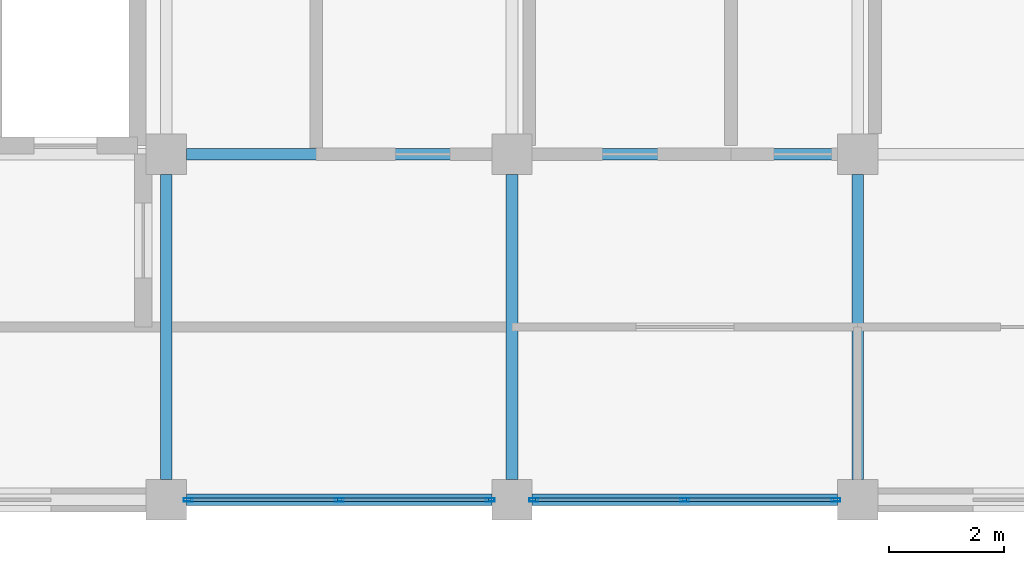
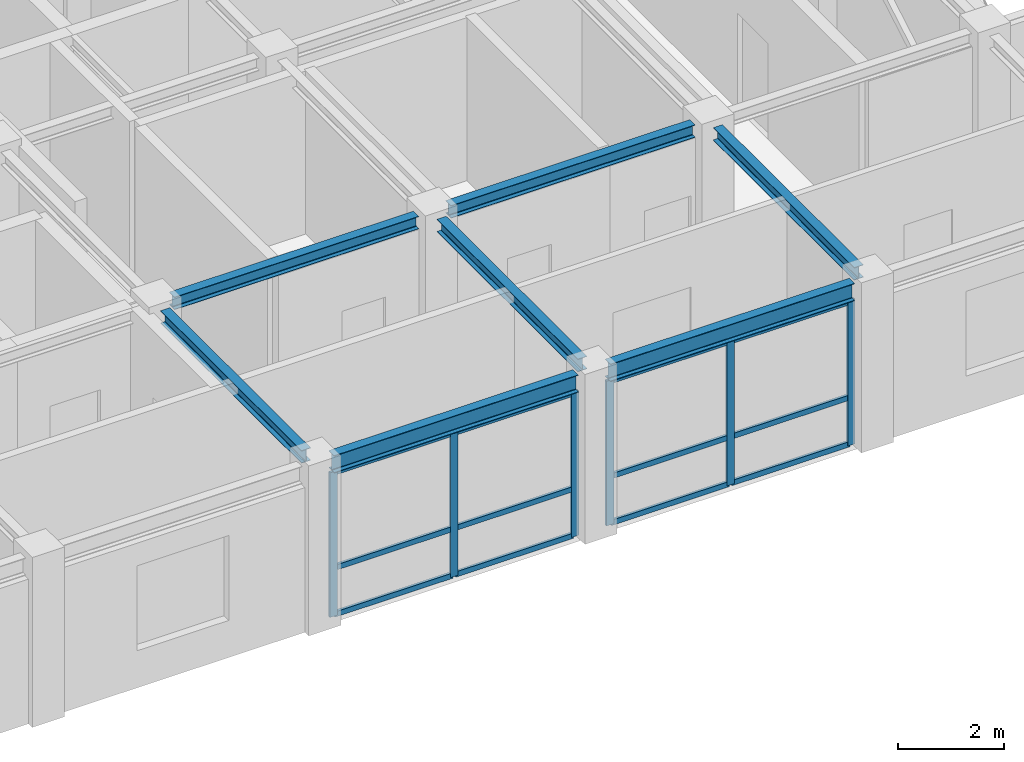
# One storey, part 4 of 11: 18 members, 7 beams, 2 elements without a shape of their own.
"""IFC4 building model written with IfcOpenShell, lengths in metres."""

from ifc_helpers import new_model, si_unit, direction, frame, origin, origin_2d, place, context, subcontext, project, spatial, hollow_rectangle, i_section, extrude, material, layer, layer_set, material_profile, profile_set, type_object, element, aggregate, save


model = new_model("IFC4")

# Units and contexts
model_context = context("Model", 3, precision=1e-05, world=origin(), true_north=direction((0.0, 1.0)))
body_context = subcontext(model_context, "Body", "Model", "MODEL_VIEW")
ifc_project = project(units=[si_unit("LENGTHUNIT", "METRE"), si_unit("AREAUNIT", "SQUARE_METRE"), si_unit("VOLUMEUNIT", "CUBIC_METRE"), si_unit("PLANEANGLEUNIT", "RADIAN"), si_unit("MASSUNIT", "GRAM", prefix="KILO")], contexts=[model_context])

# Site, building, storey
site_placement = place(None, origin())
site = spatial("IfcSite", under=ifc_project, at=site_placement, CompositionType="ELEMENT")
building_placement = place(site_placement, origin())
building = spatial("IfcBuilding", under=site, at=building_placement, Name="Zlatovratsky Civic Hall", CompositionType="ELEMENT")
storey_placement = place(building_placement, frame((0.0, 0.0, 60.0)))
storey = spatial("IfcBuildingStorey", under=building, at=storey_placement, Name="L15", CompositionType="ELEMENT", Elevation=60.0)

# Beams
ifc_material_1 = material(Name="Steel S355", Category="steel")
ifc_material_profile_1 = material_profile(ifc_material_1, i_section(OverallWidth=0.199951171875, OverallDepth=0.39990234375, WebThickness=0.008056640625, FlangeThickness=0.012939453125, FilletRadius=0.014892578125, at=origin_2d()), Name="40B2")
ifc_profile_set_1 = profile_set([ifc_material_profile_1], Name="Steel S355")
beam_type_1 = type_object("IfcBeamType", Name="Beam_Spandrel_40B2", PredefinedType="SPANDREL", material=ifc_profile_set_1)
for number, where, z_axis, x_axis, name in (
    (1, (78.35009765625, 78.0, 3.5400390625), (1.0, 0.0, 0.0), (0.0, 1.0, 0.0), "BM-5044"),
    (2, (84.35009765625, 78.0, 3.5400390625), (1.0, 0.0, 0.0), (0.0, 1.0, 0.0), "BM-5045"),
):
    element("IfcBeam", number, at=place(storey_placement, frame(where, z_axis=z_axis, x_axis=x_axis)), inside=storey, type_object=beam_type_1, Name=name, PredefinedType="SPANDREL", context=body_context, shape_type="SweptSolid", body=[
        extrude(i_section(OverallWidth=0.199951171875, OverallDepth=0.39990234375, WebThickness=0.008056640625, FlangeThickness=0.012939453125, FilletRadius=0.014892578125, at=origin_2d()), origin(), (0.0, 0.0, 1.0), 5.2998046875),
    ])
ifc_material_profile_2 = material_profile(ifc_material_1, i_section(OverallWidth=0.199951171875, OverallDepth=0.291015625, WebThickness=0.008056640625, FlangeThickness=0.010986328125, FilletRadius=0.01806640625, at=origin_2d()), Name="30Sh1")
ifc_profile_set_2 = profile_set([ifc_material_profile_2], Name="Steel S355")
beam_type_2 = type_object("IfcBeamType", Name="Beam_TowerHigh_30Sh1", PredefinedType="BEAM", material=ifc_profile_set_2)
for number, where, z_axis, x_axis, name in (
    (3, (78.35009765625, 84.0, 3.594482421875), (1.0, 0.0, 0.0), (0.0, 1.0, 0.0), "BM-5052"),
    (4, (84.35009765625, 84.0, 3.594482421875), (1.0, 0.0, 0.0), (0.0, 1.0, 0.0), "BM-5053"),
    (5, (78.0, 78.35009765625, 3.594482421875), (0.0, 1.0, 0.0), (-1.0, 0.0, 0.0), "BM-5091"),
    (6, (84.0, 78.35009765625, 3.594482421875), (0.0, 1.0, 0.0), (-1.0, 0.0, 0.0), "BM-5095"),
    (7, (90.0, 78.35009765625, 3.594482421875), (0.0, 1.0, 0.0), (-1.0, 0.0, 0.0), "BM-5099"),
):
    element("IfcBeam", number, at=place(storey_placement, frame(where, z_axis=z_axis, x_axis=x_axis)), inside=storey, type_object=beam_type_2, Name=name, PredefinedType="BEAM", context=body_context, shape_type="SweptSolid", body=[
        extrude(i_section(OverallWidth=0.199951171875, OverallDepth=0.291015625, WebThickness=0.008056640625, FlangeThickness=0.010986328125, FilletRadius=0.01806640625, at=origin_2d()), origin(), (0.0, 0.0, 1.0), 5.2998046875),
    ])

# Curtain wall, members
ifc_material_2 = material(Name="Anodised bronze aluminium", Category="aluminium")
ifc_layer = layer(ifc_material_2, 0.159912109375)
ifc_layer_set = layer_set([ifc_layer], Name="Anodised bronze aluminium")
curtain_wall_type = type_object("IfcCurtainWallType", Name="CurtainWall_Bronze_5300x3320_21", PredefinedType="NOTDEFINED", material=ifc_layer_set)
curtain_wall_1_placement = place(storey_placement, origin())
curtain_wall_1 = element("IfcCurtainWall", 8, at=curtain_wall_1_placement, inside=storey, type_object=curtain_wall_type, Name="CW-169", PredefinedType="NOTDEFINED")
ifc_material_profile_3 = material_profile(ifc_material_2, hollow_rectangle(XDim=0.06005859375, YDim=0.159912109375, WallThickness=0.00390625, at=origin_2d()), Name="ALU 60x160x4")
ifc_profile_set_3 = profile_set([ifc_material_profile_3], Name="Anodised bronze aluminium")
member_type_1 = type_object("IfcMemberType", Name="CW_Mullion_60x160", PredefinedType="MULLION", material=ifc_profile_set_3)
member_1_placement = place(storey_placement, frame((78.3798828125, 78.0, 0.0), z_axis=(0.0, 0.0, 1.0), x_axis=(0.0, 1.0, 0.0)))
member_1 = element("IfcMember", 9, at=member_1_placement, type_object=member_type_1, Name="CW-21 mullion 1", PredefinedType="MULLION", context=body_context, shape_type="SweptSolid", body=[
    extrude(hollow_rectangle(XDim=0.06005859375, YDim=0.159912109375, WallThickness=0.00390625, at=origin_2d()), origin(), (0.0, 0.0, 1.0), 3.320068359375),
])
member_2_placement = place(storey_placement, frame((81.0, 78.0, 0.0), z_axis=(0.0, 0.0, 1.0), x_axis=(0.0, 1.0, 0.0)))
member_2 = element("IfcMember", 10, at=member_2_placement, type_object=member_type_1, Name="CW-21 mullion 2", PredefinedType="MULLION", context=body_context, shape_type="SweptSolid", body=[
    extrude(hollow_rectangle(XDim=0.06005859375, YDim=0.159912109375, WallThickness=0.00390625, at=origin_2d()), origin(), (0.0, 0.0, 1.0), 3.320068359375),
])
member_3_placement = place(storey_placement, frame((83.6201171875, 78.0, 0.0), z_axis=(0.0, 0.0, 1.0), x_axis=(0.0, 1.0, 0.0)))
member_3 = element("IfcMember", 11, at=member_3_placement, type_object=member_type_1, Name="CW-21 mullion 3", PredefinedType="MULLION", context=body_context, shape_type="SweptSolid", body=[
    extrude(hollow_rectangle(XDim=0.06005859375, YDim=0.159912109375, WallThickness=0.00390625, at=origin_2d()), origin(), (0.0, 0.0, 1.0), 3.320068359375),
])

curtain_wall_2_placement = place(storey_placement, origin())
curtain_wall_2 = element("IfcCurtainWall", 12, at=curtain_wall_2_placement, inside=storey, type_object=curtain_wall_type, Name="CW-170", PredefinedType="NOTDEFINED")
member_4_placement = place(storey_placement, frame((84.3798828125, 78.0, 0.0), z_axis=(0.0, 0.0, 1.0), x_axis=(0.0, 1.0, 0.0)))
member_4 = element("IfcMember", 13, at=member_4_placement, type_object=member_type_1, Name="CW-21 mullion 1", PredefinedType="MULLION", context=body_context, shape_type="SweptSolid", body=[
    extrude(hollow_rectangle(XDim=0.06005859375, YDim=0.159912109375, WallThickness=0.00390625, at=origin_2d()), origin(), (0.0, 0.0, 1.0), 3.320068359375),
])
member_5_placement = place(storey_placement, frame((87.0, 78.0, 0.0), z_axis=(0.0, 0.0, 1.0), x_axis=(0.0, 1.0, 0.0)))
member_5 = element("IfcMember", 14, at=member_5_placement, type_object=member_type_1, Name="CW-21 mullion 2", PredefinedType="MULLION", context=body_context, shape_type="SweptSolid", body=[
    extrude(hollow_rectangle(XDim=0.06005859375, YDim=0.159912109375, WallThickness=0.00390625, at=origin_2d()), origin(), (0.0, 0.0, 1.0), 3.320068359375),
])
member_6_placement = place(storey_placement, frame((89.6201171875, 78.0, 0.0), z_axis=(0.0, 0.0, 1.0), x_axis=(0.0, 1.0, 0.0)))
member_6 = element("IfcMember", 15, at=member_6_placement, type_object=member_type_1, Name="CW-21 mullion 3", PredefinedType="MULLION", context=body_context, shape_type="SweptSolid", body=[
    extrude(hollow_rectangle(XDim=0.06005859375, YDim=0.159912109375, WallThickness=0.00390625, at=origin_2d()), origin(), (0.0, 0.0, 1.0), 3.320068359375),
])

# Member
ifc_material_profile_4 = material_profile(ifc_material_2, hollow_rectangle(XDim=0.06005859375, YDim=0.1201171875, WallThickness=0.00390625, at=origin_2d()), Name="ALU 60x120x4")
ifc_profile_set_4 = profile_set([ifc_material_profile_4], Name="Anodised bronze aluminium")
member_type_2 = type_object("IfcMemberType", Name="CW_Transom_60x120", PredefinedType="USERDEFINED", material=ifc_profile_set_4)
member_7_placement = place(storey_placement, frame((78.409912109375, 78.0, 0.030029296875), z_axis=(1.0, 0.0, 0.0), x_axis=(0.0, 1.0, 0.0)))
member_7 = element("IfcMember", 16, at=member_7_placement, type_object=member_type_2, Name="CW-21 transom 1.1", ObjectType="TRANSOM", PredefinedType="USERDEFINED", context=body_context, shape_type="SweptSolid", body=[
    extrude(hollow_rectangle(XDim=0.06005859375, YDim=0.1201171875, WallThickness=0.00390625, at=origin_2d()), origin(), (0.0, 0.0, 1.0), 2.56005859375),
])

member_8_placement = place(storey_placement, frame((78.409912109375, 78.0, 1.10009765625), z_axis=(1.0, 0.0, 0.0), x_axis=(0.0, 1.0, 0.0)))
member_8 = element("IfcMember", 17, at=member_8_placement, type_object=member_type_2, Name="CW-21 transom 1.2", ObjectType="TRANSOM", PredefinedType="USERDEFINED", context=body_context, shape_type="SweptSolid", body=[
    extrude(hollow_rectangle(XDim=0.06005859375, YDim=0.1201171875, WallThickness=0.00390625, at=origin_2d()), origin(), (0.0, 0.0, 1.0), 2.56005859375),
])

member_9_placement = place(storey_placement, frame((78.409912109375, 78.0, 3.2900390625), z_axis=(1.0, 0.0, 0.0), x_axis=(0.0, 1.0, 0.0)))
member_9 = element("IfcMember", 18, at=member_9_placement, type_object=member_type_2, Name="CW-21 transom 1.3", ObjectType="TRANSOM", PredefinedType="USERDEFINED", context=body_context, shape_type="SweptSolid", body=[
    extrude(hollow_rectangle(XDim=0.06005859375, YDim=0.1201171875, WallThickness=0.00390625, at=origin_2d()), origin(), (0.0, 0.0, 1.0), 2.56005859375),
])

member_10_placement = place(storey_placement, frame((81.030029296875, 78.0, 0.030029296875), z_axis=(1.0, 0.0, 0.0), x_axis=(0.0, 1.0, 0.0)))
member_10 = element("IfcMember", 19, at=member_10_placement, type_object=member_type_2, Name="CW-21 transom 2.1", ObjectType="TRANSOM", PredefinedType="USERDEFINED", context=body_context, shape_type="SweptSolid", body=[
    extrude(hollow_rectangle(XDim=0.06005859375, YDim=0.1201171875, WallThickness=0.00390625, at=origin_2d()), origin(), (0.0, 0.0, 1.0), 2.56005859375),
])

member_11_placement = place(storey_placement, frame((81.030029296875, 78.0, 1.10009765625), z_axis=(1.0, 0.0, 0.0), x_axis=(0.0, 1.0, 0.0)))
member_11 = element("IfcMember", 20, at=member_11_placement, type_object=member_type_2, Name="CW-21 transom 2.2", ObjectType="TRANSOM", PredefinedType="USERDEFINED", context=body_context, shape_type="SweptSolid", body=[
    extrude(hollow_rectangle(XDim=0.06005859375, YDim=0.1201171875, WallThickness=0.00390625, at=origin_2d()), origin(), (0.0, 0.0, 1.0), 2.56005859375),
])

member_12_placement = place(storey_placement, frame((81.030029296875, 78.0, 3.2900390625), z_axis=(1.0, 0.0, 0.0), x_axis=(0.0, 1.0, 0.0)))
member_12 = element("IfcMember", 21, at=member_12_placement, type_object=member_type_2, Name="CW-21 transom 2.3", ObjectType="TRANSOM", PredefinedType="USERDEFINED", context=body_context, shape_type="SweptSolid", body=[
    extrude(hollow_rectangle(XDim=0.06005859375, YDim=0.1201171875, WallThickness=0.00390625, at=origin_2d()), origin(), (0.0, 0.0, 1.0), 2.56005859375),
])

aggregate(curtain_wall_1, [member_1, member_2, member_3, member_7, member_8, member_9, member_10, member_11, member_12])

member_13_placement = place(storey_placement, frame((84.409912109375, 78.0, 0.030029296875), z_axis=(1.0, 0.0, 0.0), x_axis=(0.0, 1.0, 0.0)))
member_13 = element("IfcMember", 22, at=member_13_placement, type_object=member_type_2, Name="CW-21 transom 1.1", ObjectType="TRANSOM", PredefinedType="USERDEFINED", context=body_context, shape_type="SweptSolid", body=[
    extrude(hollow_rectangle(XDim=0.06005859375, YDim=0.1201171875, WallThickness=0.00390625, at=origin_2d()), origin(), (0.0, 0.0, 1.0), 2.56005859375),
])

member_14_placement = place(storey_placement, frame((84.409912109375, 78.0, 1.10009765625), z_axis=(1.0, 0.0, 0.0), x_axis=(0.0, 1.0, 0.0)))
member_14 = element("IfcMember", 23, at=member_14_placement, type_object=member_type_2, Name="CW-21 transom 1.2", ObjectType="TRANSOM", PredefinedType="USERDEFINED", context=body_context, shape_type="SweptSolid", body=[
    extrude(hollow_rectangle(XDim=0.06005859375, YDim=0.1201171875, WallThickness=0.00390625, at=origin_2d()), origin(), (0.0, 0.0, 1.0), 2.56005859375),
])

member_15_placement = place(storey_placement, frame((84.409912109375, 78.0, 3.2900390625), z_axis=(1.0, 0.0, 0.0), x_axis=(0.0, 1.0, 0.0)))
member_15 = element("IfcMember", 24, at=member_15_placement, type_object=member_type_2, Name="CW-21 transom 1.3", ObjectType="TRANSOM", PredefinedType="USERDEFINED", context=body_context, shape_type="SweptSolid", body=[
    extrude(hollow_rectangle(XDim=0.06005859375, YDim=0.1201171875, WallThickness=0.00390625, at=origin_2d()), origin(), (0.0, 0.0, 1.0), 2.56005859375),
])

member_16_placement = place(storey_placement, frame((87.030029296875, 78.0, 0.030029296875), z_axis=(1.0, 0.0, 0.0), x_axis=(0.0, 1.0, 0.0)))
member_16 = element("IfcMember", 25, at=member_16_placement, type_object=member_type_2, Name="CW-21 transom 2.1", ObjectType="TRANSOM", PredefinedType="USERDEFINED", context=body_context, shape_type="SweptSolid", body=[
    extrude(hollow_rectangle(XDim=0.06005859375, YDim=0.1201171875, WallThickness=0.00390625, at=origin_2d()), origin(), (0.0, 0.0, 1.0), 2.56005859375),
])

member_17_placement = place(storey_placement, frame((87.030029296875, 78.0, 1.10009765625), z_axis=(1.0, 0.0, 0.0), x_axis=(0.0, 1.0, 0.0)))
member_17 = element("IfcMember", 26, at=member_17_placement, type_object=member_type_2, Name="CW-21 transom 2.2", ObjectType="TRANSOM", PredefinedType="USERDEFINED", context=body_context, shape_type="SweptSolid", body=[
    extrude(hollow_rectangle(XDim=0.06005859375, YDim=0.1201171875, WallThickness=0.00390625, at=origin_2d()), origin(), (0.0, 0.0, 1.0), 2.56005859375),
])

member_18_placement = place(storey_placement, frame((87.030029296875, 78.0, 3.2900390625), z_axis=(1.0, 0.0, 0.0), x_axis=(0.0, 1.0, 0.0)))
member_18 = element("IfcMember", 27, at=member_18_placement, type_object=member_type_2, Name="CW-21 transom 2.3", ObjectType="TRANSOM", PredefinedType="USERDEFINED", context=body_context, shape_type="SweptSolid", body=[
    extrude(hollow_rectangle(XDim=0.06005859375, YDim=0.1201171875, WallThickness=0.00390625, at=origin_2d()), origin(), (0.0, 0.0, 1.0), 2.56005859375),
])

aggregate(curtain_wall_2, [member_4, member_5, member_6, member_13, member_14, member_15, member_16, member_17, member_18])

save(model, "model.ifc")
